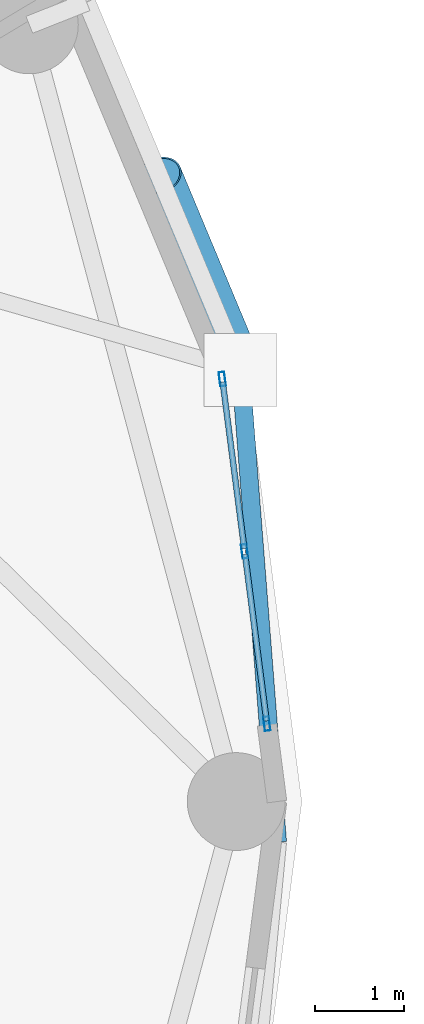
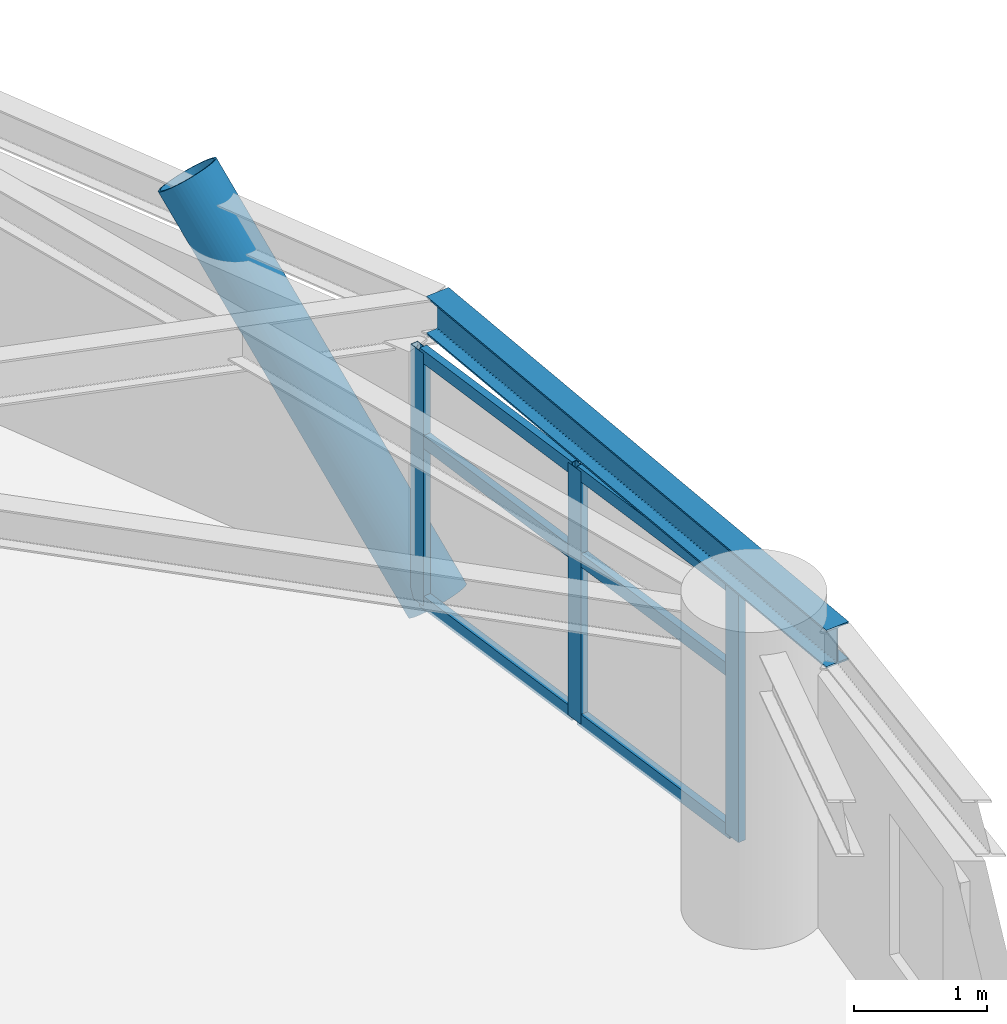
# One storey, part 3 of 16: 10 members, 1 beam, 1 element without a shape of its own.
"""IFC4 building model written with IfcOpenShell, lengths in metres."""

from ifc_helpers import new_model, si_unit, direction, frame, origin, origin_2d, place, context, subcontext, project, spatial, hollow_rectangle, hollow_circle, i_section, extrude, material, layer, layer_set, material_profile, profile_set, type_object, element, aggregate, save


model = new_model("IFC4")

# Units and contexts
model_context = context("Model", 3, precision=1e-05, world=origin(), true_north=direction((0.0, 1.0)))
body_context = subcontext(model_context, "Body", "Model", "MODEL_VIEW")
ifc_project = project(units=[si_unit("LENGTHUNIT", "METRE"), si_unit("AREAUNIT", "SQUARE_METRE"), si_unit("VOLUMEUNIT", "CUBIC_METRE"), si_unit("PLANEANGLEUNIT", "RADIAN"), si_unit("MASSUNIT", "GRAM", prefix="KILO")], contexts=[model_context])

# Site, building, storey
site_placement = place(None, origin())
site = spatial("IfcSite", under=ifc_project, at=site_placement, CompositionType="ELEMENT")
building_placement = place(site_placement, origin())
building = spatial("IfcBuilding", under=site, at=building_placement, Name="Cununo Teusaquillo Station Towers", CompositionType="ELEMENT")
storey_placement = place(building_placement, frame((0.0, 0.0, 214.1201171875)))
storey = spatial("IfcBuildingStorey", under=building, at=storey_placement, Name="L68", CompositionType="ELEMENT", Elevation=214.1201171875)

# Beam
ifc_material_1 = material(Name="Steel ASTM A572 Grade 50", Category="steel")
ifc_material_profile_1 = material_profile(ifc_material_1, i_section(OverallWidth=0.2041015625, OverallDepth=0.35009765625, WebThickness=0.008544921875, FlangeThickness=0.01513671875, FilletRadius=0.011962890625, at=origin_2d()), Name="W14X48")
ifc_profile_set_1 = profile_set([ifc_material_profile_1], Name="Steel ASTM A572 Grade 50")
beam_type = type_object("IfcBeamType", Name="BM-RING-Z4", PredefinedType="SPANDREL", material=ifc_profile_set_1)
beam_placement = place(storey_placement, frame((29.135498046875, 24.044189453125, 2.52490234375), z_axis=(-0.077871988965, 0.996963366095, 0.0), x_axis=(-0.996963366095, -0.077871988965, 0.0)))
element("IfcBeam", 1, at=beam_placement, inside=storey, type_object=beam_type, Name="L68 Tower A Spandrel Ring Beam 01", PredefinedType="SPANDREL", context=body_context, shape_type="SweptSolid", body=[
    extrude(i_section(OverallWidth=0.2041015625, OverallDepth=0.35009765625, WebThickness=0.008544921875, FlangeThickness=0.01513671875, FilletRadius=0.011962890625, at=origin_2d()), origin(), (0.0, 0.0, 1.0), 5.3203125),
])

# Curtain wall, members
ifc_material_2 = material(Name="Ceramic-fritted dark low-E double glazing", Category="glass")
ifc_layer = layer(ifc_material_2, 0.179931640625)
ifc_layer_set = layer_set([ifc_layer], Name="Ceramic-fritted dark low-E double glazing")
curtain_wall_type = type_object("IfcCurtainWallType", Name="CW-SYS-07", PredefinedType="USERDEFINED", material=ifc_layer_set)
curtain_wall_placement = place(storey_placement, origin())
curtain_wall = element("IfcCurtainWall", 2, at=curtain_wall_placement, inside=storey, type_object=curtain_wall_type, Name="L68 Tower A Facade Curtain Wall C00", ObjectType="FRITTED GLAZING", PredefinedType="USERDEFINED")
ifc_material_3 = material(Name="Anodised dark bronze aluminium EN AW-6063-T6", Category="aluminium")
ifc_material_profile_2 = material_profile(ifc_material_3, hollow_rectangle(XDim=0.06494140625, YDim=0.159912109375, WallThickness=0.00390625, at=origin_2d()), Name="CW-MULL-65x160")
ifc_profile_set_2 = profile_set([ifc_material_profile_2], Name="Anodised dark bronze aluminium EN AW-6063-T6")
member_type_1 = type_object("IfcMemberType", Name="CWM-160", PredefinedType="MULLION", material=ifc_profile_set_2)
member_1_placement = place(storey_placement, frame((28.515869140625, 29.248291015625, 0.0), z_axis=(0.0, 0.0, 1.0), x_axis=(0.991741528461, 0.12825264413, 0.0)))
member_1 = element("IfcMember", 3, at=member_1_placement, type_object=member_type_1, Name="CW-07 mullion 1", PredefinedType="MULLION", context=body_context, shape_type="SweptSolid", body=[
    extrude(hollow_rectangle(XDim=0.06494140625, YDim=0.159912109375, WallThickness=0.00390625, at=origin_2d()), origin(), (0.0, 0.0, 1.0), 2.32177734375),
])
member_2_placement = place(storey_placement, frame((28.766357421875, 27.311767578125, 0.0), z_axis=(0.0, 0.0, 1.0), x_axis=(0.991741528461, 0.12825264413, 0.0)))
member_2 = element("IfcMember", 4, at=member_2_placement, type_object=member_type_1, Name="CW-07 mullion 2", PredefinedType="MULLION", context=body_context, shape_type="SweptSolid", body=[
    extrude(hollow_rectangle(XDim=0.06494140625, YDim=0.159912109375, WallThickness=0.00390625, at=origin_2d()), origin(), (0.0, 0.0, 1.0), 2.32177734375),
])
member_3_placement = place(storey_placement, frame((29.016845703125, 25.375244140625, 0.0), z_axis=(0.0, 0.0, 1.0), x_axis=(0.991741528461, 0.12825264413, 0.0)))
member_3 = element("IfcMember", 5, at=member_3_placement, type_object=member_type_1, Name="CW-07 mullion 3", PredefinedType="MULLION", context=body_context, shape_type="SweptSolid", body=[
    extrude(hollow_rectangle(XDim=0.06494140625, YDim=0.159912109375, WallThickness=0.00390625, at=origin_2d()), origin(), (0.0, 0.0, 1.0), 2.32177734375),
])
ifc_material_4 = material(Name="Anodised dark bronze aluminium EN AW-6063-T6", Category="aluminium")
ifc_material_profile_3 = material_profile(ifc_material_4, hollow_rectangle(XDim=0.06494140625, YDim=0.1201171875, WallThickness=0.00390625, at=origin_2d()), Name="CW-TRAN-65x120")
ifc_profile_set_3 = profile_set([ifc_material_profile_3], Name="Anodised dark bronze aluminium EN AW-6063-T6")
member_type_2 = type_object("IfcMemberType", Name="CWT-120", PredefinedType="USERDEFINED", material=ifc_profile_set_3)
member_4_placement = place(storey_placement, frame((28.52001953125, 29.216064453125, 0.032470703125), z_axis=(0.128299630595, -0.99173545101, 0.0), x_axis=(0.99173545101, 0.128299630595, 0.0)))
member_4 = element("IfcMember", 6, at=member_4_placement, type_object=member_type_2, Name="CW-07 transom 1.1", ObjectType="TRANSOM", PredefinedType="USERDEFINED", context=body_context, shape_type="SweptSolid", body=[
    extrude(hollow_rectangle(XDim=0.06494140625, YDim=0.1201171875, WallThickness=0.00390625, at=origin_2d()), origin(), (0.0, 0.0, 1.0), 1.8876953125),
])
member_5_placement = place(storey_placement, frame((28.52001953125, 29.216064453125, 1.5087890625), z_axis=(0.128299630595, -0.99173545101, 0.0), x_axis=(0.99173545101, 0.128299630595, 0.0)))
member_5 = element("IfcMember", 7, at=member_5_placement, type_object=member_type_2, Name="CW-07 transom 1.2", ObjectType="TRANSOM", PredefinedType="USERDEFINED", context=body_context, shape_type="SweptSolid", body=[
    extrude(hollow_rectangle(XDim=0.06494140625, YDim=0.1201171875, WallThickness=0.00390625, at=origin_2d()), origin(), (0.0, 0.0, 1.0), 1.8876953125),
])
member_6_placement = place(storey_placement, frame((28.52001953125, 29.216064453125, 2.289306640625), z_axis=(0.128299630595, -0.99173545101, 0.0), x_axis=(0.99173545101, 0.128299630595, 0.0)))
member_6 = element("IfcMember", 8, at=member_6_placement, type_object=member_type_2, Name="CW-07 transom 1.3", ObjectType="TRANSOM", PredefinedType="USERDEFINED", context=body_context, shape_type="SweptSolid", body=[
    extrude(hollow_rectangle(XDim=0.06494140625, YDim=0.1201171875, WallThickness=0.00390625, at=origin_2d()), origin(), (0.0, 0.0, 1.0), 1.8876953125),
])
member_7_placement = place(storey_placement, frame((28.7705078125, 27.279541015625, 0.032470703125), z_axis=(0.128299630595, -0.99173545101, 0.0), x_axis=(0.99173545101, 0.128299630595, 0.0)))
member_7 = element("IfcMember", 9, at=member_7_placement, type_object=member_type_2, Name="CW-07 transom 2.1", ObjectType="TRANSOM", PredefinedType="USERDEFINED", context=body_context, shape_type="SweptSolid", body=[
    extrude(hollow_rectangle(XDim=0.06494140625, YDim=0.1201171875, WallThickness=0.00390625, at=origin_2d()), origin(), (0.0, 0.0, 1.0), 1.8876953125),
])
member_8_placement = place(storey_placement, frame((28.7705078125, 27.279541015625, 1.5087890625), z_axis=(0.128299630595, -0.99173545101, 0.0), x_axis=(0.99173545101, 0.128299630595, 0.0)))
member_8 = element("IfcMember", 10, at=member_8_placement, type_object=member_type_2, Name="CW-07 transom 2.2", ObjectType="TRANSOM", PredefinedType="USERDEFINED", context=body_context, shape_type="SweptSolid", body=[
    extrude(hollow_rectangle(XDim=0.06494140625, YDim=0.1201171875, WallThickness=0.00390625, at=origin_2d()), origin(), (0.0, 0.0, 1.0), 1.8876953125),
])
member_9_placement = place(storey_placement, frame((28.7705078125, 27.279541015625, 2.289306640625), z_axis=(0.128299630595, -0.99173545101, 0.0), x_axis=(0.99173545101, 0.128299630595, 0.0)))
member_9 = element("IfcMember", 11, at=member_9_placement, type_object=member_type_2, Name="CW-07 transom 2.3", ObjectType="TRANSOM", PredefinedType="USERDEFINED", context=body_context, shape_type="SweptSolid", body=[
    extrude(hollow_rectangle(XDim=0.06494140625, YDim=0.1201171875, WallThickness=0.00390625, at=origin_2d()), origin(), (0.0, 0.0, 1.0), 1.8876953125),
])
aggregate(curtain_wall, [member_1, member_2, member_3, member_4, member_5, member_6, member_7, member_8, member_9])

# Member
ifc_material_5 = material(Name="Steel EN 10025-2 S355J2", Category="steel")
ifc_material_profile_4 = material_profile(ifc_material_5, hollow_circle(Radius=0.25390625, WallThickness=0.01806640625, at=origin_2d()), Name="CHS 508x18")
ifc_profile_set_4 = profile_set([ifc_material_profile_4], Name="Steel EN 10025-2 S355J2")
member_type_3 = type_object("IfcMemberType", Name="MBR-DIAG-Z4", PredefinedType="BRACE", material=ifc_profile_set_4)
member_10_placement = place(storey_placement, frame((28.72119140625, 29.348388671875, -0.14013671875), z_axis=(-0.243178360097, 0.58276932845, 0.77539937774), x_axis=(-0.922875628603, -0.385098135713, 0.0)))
element("IfcMember", 12, at=member_10_placement, inside=storey, type_object=member_type_3, Name="L68 Tower A Folded-Zigzag Diagrid Tube C01", PredefinedType="BRACE", context=body_context, shape_type="SweptSolid", body=[
    extrude(hollow_circle(Radius=0.25390625, WallThickness=0.01806640625, at=origin_2d()), origin(), (0.0, 0.0, 1.0), 3.752685546875),
])

save(model, "model.ifc")
